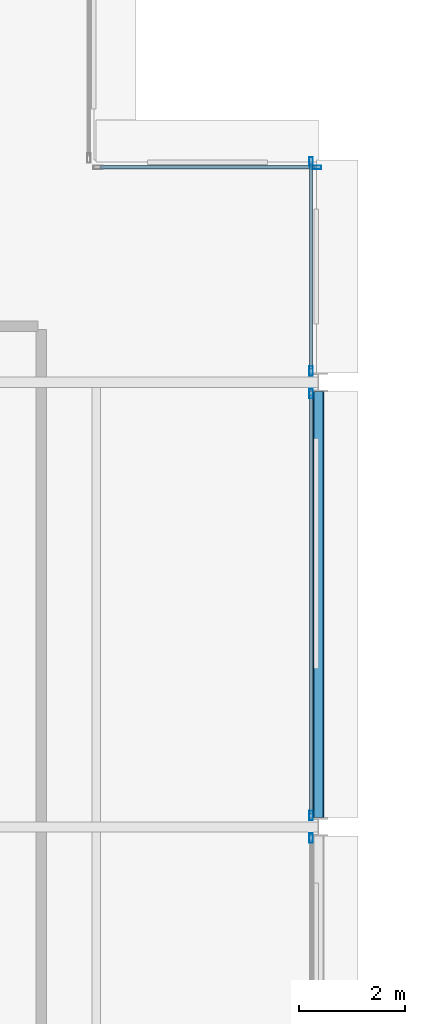
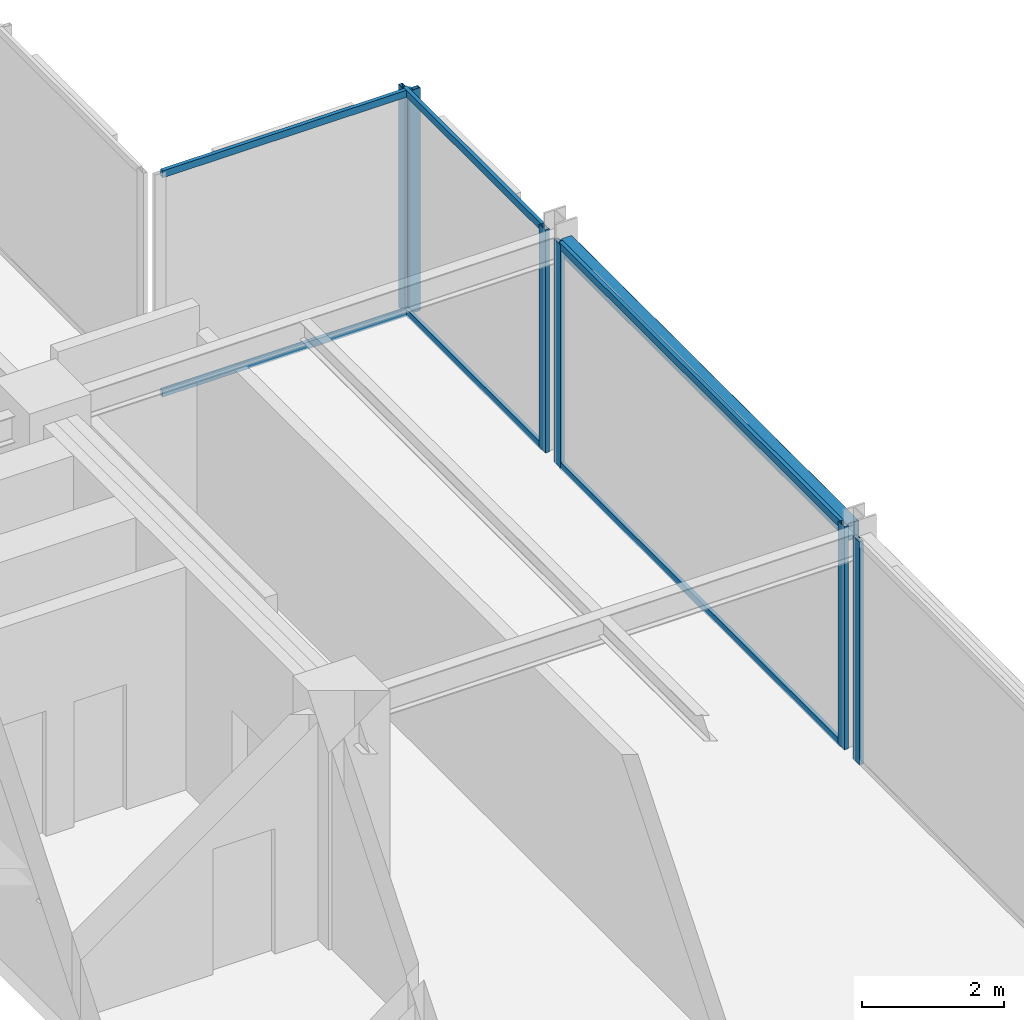
# One storey, part 22 of 29: 12 members, 1 beam, 4 elements without a shape of their own.
"""IFC4 building model written with IfcOpenShell, lengths in metres."""

from ifc_helpers import new_model, si_unit, direction, frame, origin, origin_2d, place, context, subcontext, project, spatial, hollow_rectangle, extrude, material, layer, layer_set, material_profile, profile_set, type_object, element, aggregate, save


model = new_model("IFC4")

# Units and contexts
model_context = context("Model", 3, precision=1e-05, world=origin(), true_north=direction((0.0, 1.0)))
body_context = subcontext(model_context, "Body", "Model", "MODEL_VIEW")
ifc_project = project(units=[si_unit("LENGTHUNIT", "METRE"), si_unit("AREAUNIT", "SQUARE_METRE"), si_unit("VOLUMEUNIT", "CUBIC_METRE"), si_unit("PLANEANGLEUNIT", "RADIAN"), si_unit("MASSUNIT", "GRAM", prefix="KILO")], contexts=[model_context])

# Site, building, storey
site_placement = place(None, origin())
site = spatial("IfcSite", under=ifc_project, at=site_placement, CompositionType="ELEMENT")
building_placement = place(site_placement, origin())
building = spatial("IfcBuilding", under=site, at=building_placement, Name="Nerrivon Quay Data Exchange", CompositionType="ELEMENT")
storey_placement = place(building_placement, frame((0.0, 0.0, 179.60009765625)))
storey = spatial("IfcBuildingStorey", under=building, at=storey_placement, Name="L42", CompositionType="ELEMENT", Elevation=179.60009765625)

# Beam
ifc_material_1 = material(Name="Steel Grade C350L0 (350 MPa)", Category="steel")
ifc_material_profile_1 = material_profile(ifc_material_1, hollow_rectangle(XDim=0.199951171875, YDim=0.300048828125, WallThickness=0.012451171875, InnerFilletRadius=0.018798828125, OuterFilletRadius=0.03125, at=origin_2d()), Name="300x200x12.5RHS")
ifc_profile_set_1 = profile_set([ifc_material_profile_1], Name="Steel Grade C350L0 (350 MPa)")
beam_type = type_object("IfcBeamType", Name="BM-SP3-300x200RHS", PredefinedType="SPANDREL", material=ifc_profile_set_1)
beam_placement = place(storey_placement, frame((25.199951171875, 33.77490234375, 3.6748046875), z_axis=(0.0, 1.0, 0.0), x_axis=(-1.0, 0.0, 0.0)))
element("IfcBeam", 1, at=beam_placement, inside=storey, type_object=beam_type, Name="L42 NS Girder X=25.2 (33.6..42.0)", PredefinedType="SPANDREL", context=body_context, shape_type="SweptSolid", body=[
    extrude(hollow_rectangle(XDim=0.199951171875, YDim=0.300048828125, WallThickness=0.012451171875, InnerFilletRadius=0.018798828125, OuterFilletRadius=0.03125, at=origin_2d()), origin(), (0.0, 0.0, 1.0), 8.050048828125),
])

# Curtain wall, member
ifc_material_2 = material(Name="Anodised aluminium 6063-T6", Category="aluminium")
ifc_layer = layer(ifc_material_2, 0.195068359375)
ifc_layer_set = layer_set([ifc_layer], Name="Anodised aluminium 6063-T6")
curtain_wall_type = type_object("IfcCurtainWallType", Name="CW-SYS-06", PredefinedType="NOTDEFINED", material=ifc_layer_set)
curtain_wall_1_placement = place(storey_placement, origin())
curtain_wall_1 = element("IfcCurtainWall", 2, at=curtain_wall_1_placement, inside=storey, type_object=curtain_wall_type, Name="L42 Unitised Curtain Wall 12", PredefinedType="NOTDEFINED")
ifc_material_profile_2 = material_profile(ifc_material_2, hollow_rectangle(XDim=0.06494140625, YDim=0.179931640625, WallThickness=0.00341796875, at=origin_2d()), Name="ALU-MULL-180x65")
ifc_profile_set_2 = profile_set([ifc_material_profile_2], Name="Anodised aluminium 6063-T6")
member_type_1 = type_object("IfcMemberType", Name="CWM-180x65", PredefinedType="MULLION", material=ifc_profile_set_2)
member_1_placement = place(storey_placement, frame((25.16259765625, 46.06005859375, 0.0), z_axis=(0.0, 0.0, 1.0), x_axis=(0.0, 1.0, 0.0)))
member_1 = element("IfcMember", 3, at=member_1_placement, type_object=member_type_1, Name="CW06 mullion 2", PredefinedType="MULLION", context=body_context, shape_type="SweptSolid", body=[
    extrude(hollow_rectangle(XDim=0.06494140625, YDim=0.179931640625, WallThickness=0.00341796875, at=origin_2d()), origin(), (0.0, 0.0, 1.0), 3.824951171875),
])

# Curtain wall, members
curtain_wall_2_placement = place(storey_placement, origin())
curtain_wall_2 = element("IfcCurtainWall", 4, at=curtain_wall_2_placement, inside=storey, type_object=curtain_wall_type, Name="L42 Unitised Curtain Wall 13", PredefinedType="NOTDEFINED")
member_2_placement = place(storey_placement, frame((25.06005859375, 46.16259765625, 0.0), z_axis=(0.0, 0.0, 1.0), x_axis=(1.0, 0.0, 0.0)))
member_2 = element("IfcMember", 5, at=member_2_placement, type_object=member_type_1, Name="CW06 mullion 1", PredefinedType="MULLION", context=body_context, shape_type="SweptSolid", body=[
    extrude(hollow_rectangle(XDim=0.06494140625, YDim=0.179931640625, WallThickness=0.00341796875, at=origin_2d()), origin(), (0.0, 0.0, 1.0), 3.824951171875),
])
member_3_placement = place(storey_placement, frame((25.06005859375, 42.21240234375, 0.0), z_axis=(0.0, 0.0, 1.0), x_axis=(1.0, 0.0, 0.0)))
member_3 = element("IfcMember", 6, at=member_3_placement, type_object=member_type_1, Name="CW06 mullion 2", PredefinedType="MULLION", context=body_context, shape_type="SweptSolid", body=[
    extrude(hollow_rectangle(XDim=0.06494140625, YDim=0.179931640625, WallThickness=0.00341796875, at=origin_2d()), origin(), (0.0, 0.0, 1.0), 3.824951171875),
])

curtain_wall_3_placement = place(storey_placement, origin())
curtain_wall_3 = element("IfcCurtainWall", 7, at=curtain_wall_3_placement, inside=storey, type_object=curtain_wall_type, Name="L42 Unitised Curtain Wall 14", PredefinedType="NOTDEFINED")
member_4_placement = place(storey_placement, frame((25.06005859375, 41.78759765625, 0.0), z_axis=(0.0, 0.0, 1.0), x_axis=(1.0, 0.0, 0.0)))
member_4 = element("IfcMember", 8, at=member_4_placement, type_object=member_type_1, Name="CW06 mullion 1", PredefinedType="MULLION", context=body_context, shape_type="SweptSolid", body=[
    extrude(hollow_rectangle(XDim=0.06494140625, YDim=0.179931640625, WallThickness=0.00341796875, at=origin_2d()), origin(), (0.0, 0.0, 1.0), 3.824951171875),
])
member_5_placement = place(storey_placement, frame((25.06005859375, 33.8125, 0.0), z_axis=(0.0, 0.0, 1.0), x_axis=(1.0, 0.0, 0.0)))
member_5 = element("IfcMember", 9, at=member_5_placement, type_object=member_type_1, Name="CW06 mullion 2", PredefinedType="MULLION", context=body_context, shape_type="SweptSolid", body=[
    extrude(hollow_rectangle(XDim=0.06494140625, YDim=0.179931640625, WallThickness=0.00341796875, at=origin_2d()), origin(), (0.0, 0.0, 1.0), 3.824951171875),
])

# Curtain wall, member
curtain_wall_4_placement = place(storey_placement, origin())
curtain_wall_4 = element("IfcCurtainWall", 10, at=curtain_wall_4_placement, inside=storey, type_object=curtain_wall_type, Name="L42 Unitised Curtain Wall 15", PredefinedType="NOTDEFINED")
member_6_placement = place(storey_placement, frame((25.06005859375, 33.387451171875, 0.0), z_axis=(0.0, 0.0, 1.0), x_axis=(1.0, 0.0, 0.0)))
member_6 = element("IfcMember", 11, at=member_6_placement, type_object=member_type_1, Name="CW06 mullion 1", PredefinedType="MULLION", context=body_context, shape_type="SweptSolid", body=[
    extrude(hollow_rectangle(XDim=0.06494140625, YDim=0.179931640625, WallThickness=0.00341796875, at=origin_2d()), origin(), (0.0, 0.0, 1.0), 3.824951171875),
])
aggregate(curtain_wall_4, [member_6])

# Member
ifc_material_profile_3 = material_profile(ifc_material_2, hollow_rectangle(XDim=0.06005859375, YDim=0.1201171875, WallThickness=0.003173828125, at=origin_2d()), Name="ALU-TRAN-120x60")
ifc_profile_set_3 = profile_set([ifc_material_profile_3], Name="Anodised aluminium 6063-T6")
member_type_2 = type_object("IfcMemberType", Name="CWT-120x60", PredefinedType="USERDEFINED", material=ifc_profile_set_3)
member_7_placement = place(storey_placement, frame((21.074951171875, 46.06005859375, 0.032470703125), z_axis=(1.0, 0.0, 0.0), x_axis=(0.0, 1.0, 0.0)))
member_7 = element("IfcMember", 12, at=member_7_placement, type_object=member_type_2, Name="CW06 transom 1.1", ObjectType="TRANSOM", PredefinedType="USERDEFINED", context=body_context, shape_type="SweptSolid", body=[
    extrude(hollow_rectangle(XDim=0.06005859375, YDim=0.1201171875, WallThickness=0.003173828125, at=origin_2d()), origin(), (0.0, 0.0, 1.0), 4.050048828125),
])

member_8_placement = place(storey_placement, frame((21.074951171875, 46.06005859375, 3.79248046875), z_axis=(1.0, 0.0, 0.0), x_axis=(0.0, 1.0, 0.0)))
member_8 = element("IfcMember", 13, at=member_8_placement, type_object=member_type_2, Name="CW06 transom 1.2", ObjectType="TRANSOM", PredefinedType="USERDEFINED", context=body_context, shape_type="SweptSolid", body=[
    extrude(hollow_rectangle(XDim=0.06005859375, YDim=0.1201171875, WallThickness=0.003173828125, at=origin_2d()), origin(), (0.0, 0.0, 1.0), 4.050048828125),
])

aggregate(curtain_wall_1, [member_1, member_7, member_8])

member_9_placement = place(storey_placement, frame((25.06005859375, 46.125, 0.032470703125), z_axis=(0.0, -1.0, 0.0), x_axis=(1.0, 0.0, 0.0)))
member_9 = element("IfcMember", 14, at=member_9_placement, type_object=member_type_2, Name="CW06 transom 1.1", ObjectType="TRANSOM", PredefinedType="USERDEFINED", context=body_context, shape_type="SweptSolid", body=[
    extrude(hollow_rectangle(XDim=0.06005859375, YDim=0.1201171875, WallThickness=0.003173828125, at=origin_2d()), origin(), (0.0, 0.0, 1.0), 3.875),
])

member_10_placement = place(storey_placement, frame((25.06005859375, 46.125, 3.79248046875), z_axis=(0.0, -1.0, 0.0), x_axis=(1.0, 0.0, 0.0)))
member_10 = element("IfcMember", 15, at=member_10_placement, type_object=member_type_2, Name="CW06 transom 1.2", ObjectType="TRANSOM", PredefinedType="USERDEFINED", context=body_context, shape_type="SweptSolid", body=[
    extrude(hollow_rectangle(XDim=0.06005859375, YDim=0.1201171875, WallThickness=0.003173828125, at=origin_2d()), origin(), (0.0, 0.0, 1.0), 3.875),
])

aggregate(curtain_wall_2, [member_2, member_3, member_9, member_10])

member_11_placement = place(storey_placement, frame((25.06005859375, 41.75, 0.032470703125), z_axis=(0.0, -1.0, 0.0), x_axis=(1.0, 0.0, 0.0)))
member_11 = element("IfcMember", 16, at=member_11_placement, type_object=member_type_2, Name="CW06 transom 1.1", ObjectType="TRANSOM", PredefinedType="USERDEFINED", context=body_context, shape_type="SweptSolid", body=[
    extrude(hollow_rectangle(XDim=0.06005859375, YDim=0.1201171875, WallThickness=0.003173828125, at=origin_2d()), origin(), (0.0, 0.0, 1.0), 7.89990234375),
])

member_12_placement = place(storey_placement, frame((25.06005859375, 41.75, 3.79248046875), z_axis=(0.0, -1.0, 0.0), x_axis=(1.0, 0.0, 0.0)))
member_12 = element("IfcMember", 17, at=member_12_placement, type_object=member_type_2, Name="CW06 transom 1.2", ObjectType="TRANSOM", PredefinedType="USERDEFINED", context=body_context, shape_type="SweptSolid", body=[
    extrude(hollow_rectangle(XDim=0.06005859375, YDim=0.1201171875, WallThickness=0.003173828125, at=origin_2d()), origin(), (0.0, 0.0, 1.0), 7.89990234375),
])

aggregate(curtain_wall_3, [member_4, member_5, member_11, member_12])

save(model, "model.ifc")
